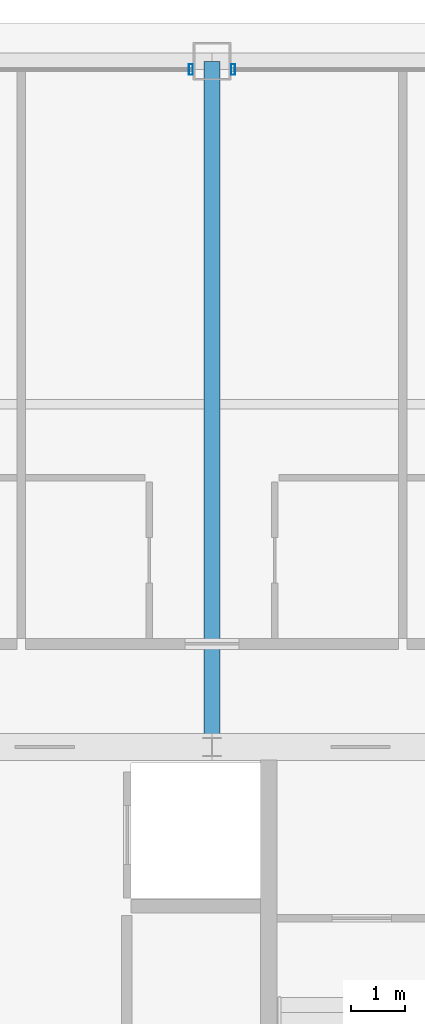
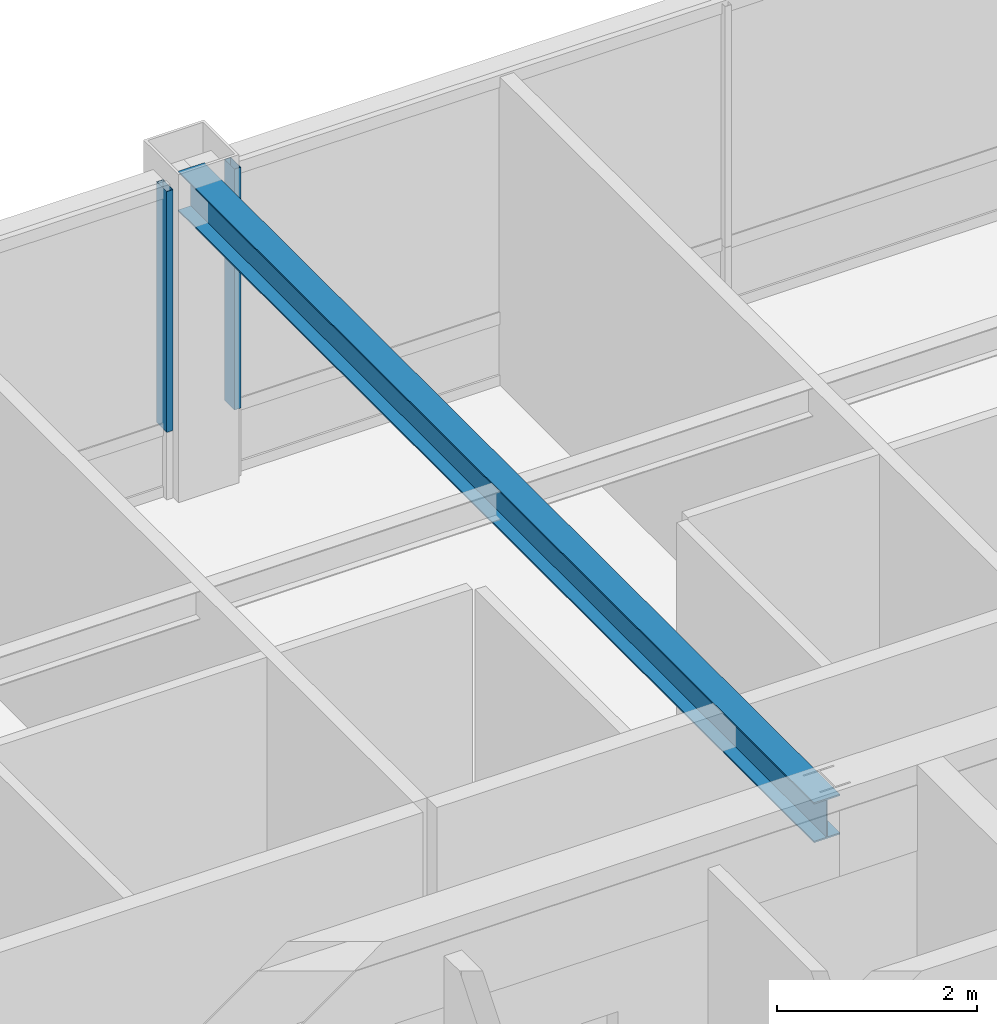
# One storey, part 18 of 34: 2 members, 1 beam, 2 elements without a shape of their own.
"""IFC4 building model written with IfcOpenShell, lengths in metres."""

from ifc_helpers import new_model, si_unit, direction, frame, origin, origin_2d, place, context, subcontext, project, spatial, hollow_rectangle, i_section, extrude, source, transform, mapped, material, layer, layer_set, material_profile, profile_set, type_object, element, aggregate, save


model = new_model("IFC4")

# Units and contexts
model_context = context("Model", 3, precision=1e-05, world=origin(), true_north=direction((0.0, 1.0)))
body_context = subcontext(model_context, "Body", "Model", "MODEL_VIEW")
ifc_project = project(units=[si_unit("LENGTHUNIT", "METRE"), si_unit("AREAUNIT", "SQUARE_METRE"), si_unit("VOLUMEUNIT", "CUBIC_METRE"), si_unit("PLANEANGLEUNIT", "RADIAN"), si_unit("MASSUNIT", "GRAM", prefix="KILO"), si_unit("THERMODYNAMICTEMPERATUREUNIT", "KELVIN"), si_unit("POWERUNIT", "WATT")], contexts=[model_context])

# Site, building, storey
site_placement = place(None, origin())
site = spatial("IfcSite", under=ifc_project, at=site_placement, CompositionType="ELEMENT")
building_placement = place(site_placement, origin())
building = spatial("IfcBuilding", under=site, at=building_placement, Name="Yuzanri Waterfront Tower", CompositionType="ELEMENT")
storey_placement = place(building_placement, frame((0.0, 0.0, 339.199951171875)))
storey = spatial("IfcBuildingStorey", under=building, at=storey_placement, Name="L91", CompositionType="ELEMENT", Elevation=339.199951171875)

# Beam
ifc_material_1 = material(Name="Steel Q355B", Category="steel")
ifc_material_profile_1 = material_profile(ifc_material_1, i_section(OverallWidth=0.300048828125, OverallDepth=0.488037109375, WebThickness=0.010986328125, FlangeThickness=0.01806640625, at=origin_2d()), Name="HM 488x300x11x18")
ifc_profile_set_1 = profile_set([ifc_material_profile_1], Name="Steel Q355B")
beam_type = type_object("IfcBeamType", Name="Primary Floor Girder Q355B HM 488x300", PredefinedType="BEAM", material=ifc_profile_set_1)
shared_shape_1 = source(origin(), body_context, "Body", "SweptSolid", [
    extrude(i_section(OverallWidth=0.300048828125, OverallDepth=0.488037109375, WebThickness=0.010986328125, FlangeThickness=0.01806640625, at=origin_2d()), origin(), (0.0, 0.0, 1.0), 12.699951171875),
])
beam_placement = place(storey_placement, frame((37.0, 32.199951171875, 3.51611328125), z_axis=(0.0, 1.0, 0.0), x_axis=(-1.0, 0.0, 0.0)))
element("IfcBeam", 1, at=beam_placement, inside=storey, type_object=beam_type, Name="L91 North Grid Girder", PredefinedType="BEAM", context=body_context, shape_type="MappedRepresentation", body=[
    mapped(shared_shape_1, transform((0.0, 0.0, 0.0), scale=1.0)),
])

# Curtain wall, member
ifc_material_2 = material(Name="Anodized Architectural Bronze", Category="metal")
ifc_layer = layer(ifc_material_2, 0.159912109375)
ifc_layer_set = layer_set([ifc_layer], Name="Anodized Architectural Bronze")
curtain_wall_type = type_object("IfcCurtainWallType", Name="Anodized Bronze High-Rise Penthouse High-Wind Unitized Curtain Wall 6900", PredefinedType="NOTDEFINED", material=ifc_layer_set)
curtain_wall_1_placement = place(storey_placement, origin())
curtain_wall_1 = element("IfcCurtainWall", 2, at=curtain_wall_1_placement, inside=storey, type_object=curtain_wall_type, Name="L91 Curtain Wall CW-L91-NL", PredefinedType="NOTDEFINED")
ifc_material_3 = material(Name="Anodized Architectural Bronze", Category="metal")
ifc_material_profile_2 = material_profile(ifc_material_3, hollow_rectangle(XDim=0.074951171875, YDim=0.199951171875, WallThickness=0.00390625, at=origin_2d()), Name="CWM 75x200")
ifc_profile_set_2 = profile_set([ifc_material_profile_2], Name="Anodized Architectural Bronze")
member_type = type_object("IfcMemberType", Name="Anodized Bronze Primary Curtain-Wall Mullion 75x200", PredefinedType="MULLION", material=ifc_profile_set_2)
shared_shape_2 = source(origin(), body_context, "Body", "SweptSolid", [
    extrude(hollow_rectangle(XDim=0.074951171875, YDim=0.199951171875, WallThickness=0.00390625, at=origin_2d()), origin(), (0.0, 0.0, 1.0), 2.93798828125),
])
member_1_placement = place(storey_placement, frame((36.610107421875, 44.75, 0.822021484375), z_axis=(0.0, 0.0, 1.0), x_axis=(1.0, 0.0, 0.0)))
member_1 = element("IfcMember", 3, at=member_1_placement, type_object=member_type, Name="CW-L91-NL Upper Mullion 02", PredefinedType="MULLION", context=body_context, shape_type="MappedRepresentation", body=[
    mapped(shared_shape_2, transform((0.0, 0.0, 0.0), scale=1.0)),
])
aggregate(curtain_wall_1, [member_1])

curtain_wall_2_placement = place(storey_placement, origin())
curtain_wall_2 = element("IfcCurtainWall", 4, at=curtain_wall_2_placement, inside=storey, type_object=curtain_wall_type, Name="L91 Curtain Wall CW-L91-NR", PredefinedType="NOTDEFINED")
member_2_placement = place(storey_placement, frame((37.389892578125, 44.75, 0.822021484375), z_axis=(0.0, 0.0, 1.0), x_axis=(1.0, 0.0, 0.0)))
member_2 = element("IfcMember", 5, at=member_2_placement, type_object=member_type, Name="CW-L91-NR Upper Mullion 00", PredefinedType="MULLION", context=body_context, shape_type="MappedRepresentation", body=[
    mapped(shared_shape_2, transform((0.0, 0.0, 0.0), scale=1.0)),
])
aggregate(curtain_wall_2, [member_2])

save(model, "model.ifc")
